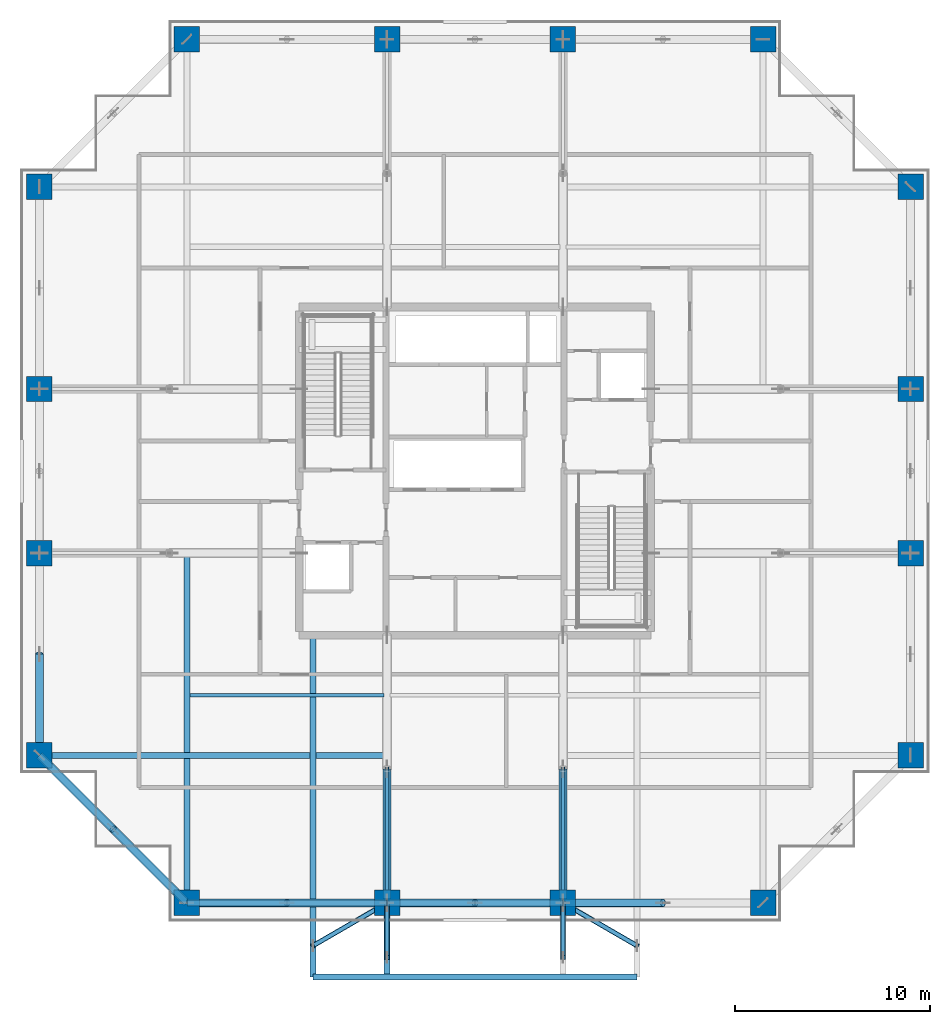
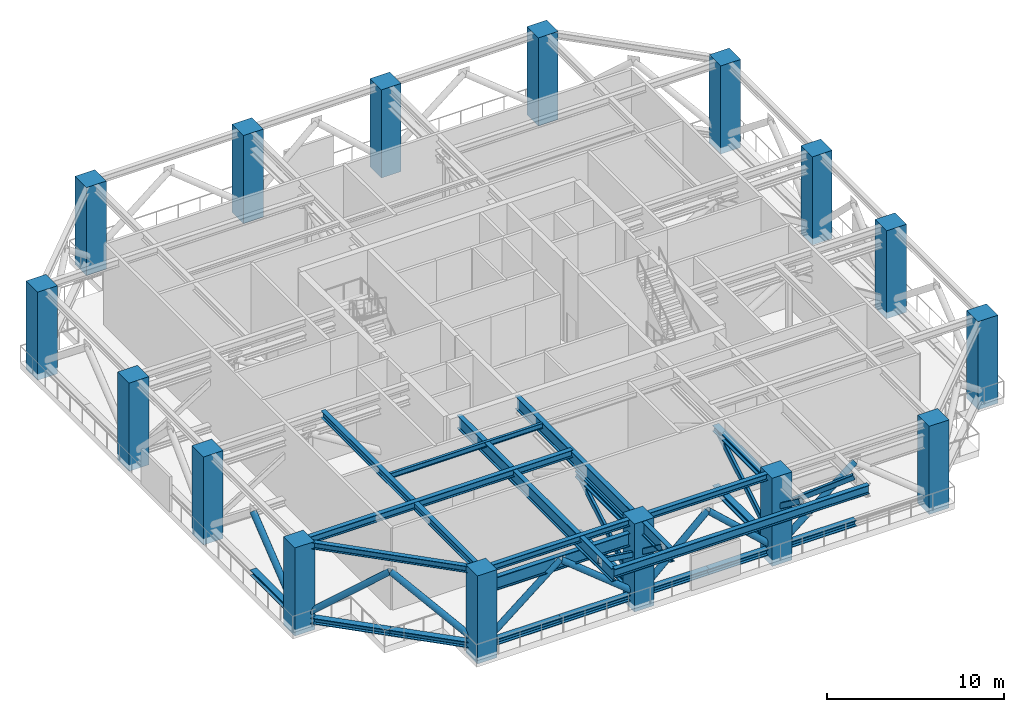
# One storey, part 1 of 22: 26 members, 16 columns, 10 beams.
"""IFC4 building model written with IfcOpenShell, lengths in metres."""

from ifc_helpers import new_model, si_unit, direction, frame, origin, origin_2d, place, context, subcontext, project, spatial, rectangle, hollow_rectangle, hollow_circle, i_section, extrude, source, transform, mapped, material, material_profile, profile_set, type_object, element, save


model = new_model("IFC4")

# Units and contexts
model_context = context("Model", 3, precision=1e-05, world=origin(), true_north=direction((0.0, 1.0)))
body_context = subcontext(model_context, "Body", "Model", "MODEL_VIEW")
ifc_project = project(units=[si_unit("LENGTHUNIT", "METRE"), si_unit("AREAUNIT", "SQUARE_METRE"), si_unit("VOLUMEUNIT", "CUBIC_METRE"), si_unit("PLANEANGLEUNIT", "RADIAN"), si_unit("MASSUNIT", "GRAM", prefix="KILO")], contexts=[model_context])

# Site, building, storey
site_placement = place(None, origin())
site = spatial("IfcSite", under=ifc_project, at=site_placement, CompositionType="ELEMENT")
building_placement = place(site_placement, origin())
building = spatial("IfcBuilding", under=site, at=building_placement, Name="Serunith Strait Residences", CompositionType="ELEMENT")
storey_placement = place(building_placement, frame((0.0, 0.0, 198.89990234375)))
storey = spatial("IfcBuildingStorey", under=building, at=storey_placement, Name="L50", CompositionType="ELEMENT", Elevation=198.89990234375)

# Columns
ifc_material_1 = material(Name="Concrete C80/95", Category="concrete")
ifc_material_profile_1 = material_profile(ifc_material_1, rectangle(XDim=1.300048828125, YDim=1.300048828125, at=origin_2d()), Name="RC 1300x1300")
ifc_profile_set_1 = profile_set([ifc_material_profile_1], Name="Concrete C80/95")
column_type = type_object("IfcColumnType", Name="COL-RC-1300", PredefinedType="COLUMN", material=ifc_profile_set_1)
shared_shape_1 = source(origin(), body_context, "Body", "SweptSolid", [
    extrude(rectangle(XDim=1.300048828125, YDim=1.300048828125, at=origin_2d()), origin(), (0.0, 0.0, 1.0), 6.080078125),
])
for number, where, z_axis, x_axis, name in (
    (1, (17.64990234375, 3.10009765625, -0.43994140625), (0.0, 0.0, 1.0), (1.0, 0.0, 0.0), "L50 Tower Mega-Column TC-S1"),
    (2, (27.89990234375, 3.10009765625, -0.43994140625), (0.0, 0.0, 1.0), (1.0, 0.0, 0.0), "L50 Tower Mega-Column TC-S2"),
    (3, (36.89990234375, 3.10009765625, -0.43994140625), (0.0, 0.0, 1.0), (1.0, 0.0, 0.0), "L50 Tower Mega-Column TC-S3"),
    (4, (47.14990234375, 3.10009765625, -0.43994140625), (0.0, 0.0, 1.0), (1.0, 0.0, 0.0), "L50 Tower Mega-Column TC-S4"),
    (5, (17.64990234375, 47.300048828125, -0.43994140625), (0.0, 0.0, 1.0), (1.0, 0.0, 0.0), "L50 Tower Mega-Column TC-N1"),
    (6, (27.89990234375, 47.300048828125, -0.43994140625), (0.0, 0.0, 1.0), (1.0, 0.0, 0.0), "L50 Tower Mega-Column TC-N2"),
    (7, (36.89990234375, 47.300048828125, -0.43994140625), (0.0, 0.0, 1.0), (1.0, 0.0, 0.0), "L50 Tower Mega-Column TC-N3"),
    (8, (47.14990234375, 47.300048828125, -0.43994140625), (0.0, 0.0, 1.0), (1.0, 0.0, 0.0), "L50 Tower Mega-Column TC-N4"),
    (9, (54.699951171875, 10.64990234375, -0.43994140625), (0.0, 0.0, 1.0), (1.0, 0.0, 0.0), "L50 Tower Mega-Column TC-E1"),
    (10, (54.699951171875, 21.0, -0.43994140625), (0.0, 0.0, 1.0), (1.0, 0.0, 0.0), "L50 Tower Mega-Column TC-E2"),
    (11, (54.699951171875, 29.39990234375, -0.43994140625), (0.0, 0.0, 1.0), (1.0, 0.0, 0.0), "L50 Tower Mega-Column TC-E3"),
    (12, (54.699951171875, 39.75, -0.43994140625), (0.0, 0.0, 1.0), (1.0, 0.0, 0.0), "L50 Tower Mega-Column TC-E4"),
    (13, (10.10009765625, 10.64990234375, -0.43994140625), (0.0, 0.0, 1.0), (1.0, 0.0, 0.0), "L50 Tower Mega-Column TC-W1"),
    (14, (10.10009765625, 21.0, -0.43994140625), (0.0, 0.0, 1.0), (1.0, 0.0, 0.0), "L50 Tower Mega-Column TC-W2"),
    (15, (10.10009765625, 29.39990234375, -0.43994140625), (0.0, 0.0, 1.0), (1.0, 0.0, 0.0), "L50 Tower Mega-Column TC-W3"),
    (16, (10.10009765625, 39.75, -0.43994140625), (0.0, 0.0, 1.0), (1.0, 0.0, 0.0), "L50 Tower Mega-Column TC-W4"),
):
    element("IfcColumn", number, at=place(storey_placement, frame(where, z_axis=z_axis, x_axis=x_axis)), inside=storey, type_object=column_type, Name=name, PredefinedType="COLUMN", context=body_context, shape_type="MappedRepresentation", body=[
        mapped(shared_shape_1, transform((0.0, 0.0, 0.0), scale=1.0)),
    ])

# Beams
ifc_material_2 = material(Name="Steel S355J2", Category="steel")
ifc_material_profile_2 = material_profile(ifc_material_2, i_section(OverallWidth=0.300048828125, OverallDepth=0.449951171875, WebThickness=0.013916015625, FlangeThickness=0.02587890625, FilletRadius=0.027099609375, at=origin_2d()), Name="HEB 450")
ifc_profile_set_2 = profile_set([ifc_material_profile_2], Name="Steel S355J2")
beam_type_1 = type_object("IfcBeamType", Name="BM-HEB450", PredefinedType="BEAM", material=ifc_profile_set_2)
shared_shape_2 = source(origin(), body_context, "Body", "SweptSolid", [
    extrude(i_section(OverallWidth=0.300048828125, OverallDepth=0.449951171875, WebThickness=0.013916015625, FlangeThickness=0.02587890625, FilletRadius=0.027099609375, at=origin_2d()), origin(), (0.0, 0.0, 1.0), 9.0),
])
beam_1_placement = place(storey_placement, frame((27.89990234375, 3.10009765625, 5.412109375), z_axis=(1.0, 0.0, 0.0), x_axis=(0.0, 1.0, 0.0)))
element("IfcBeam", 17, at=beam_1_placement, inside=storey, type_object=beam_type_1, Name="L50 Perimeter Ring Beam 02", PredefinedType="BEAM", context=body_context, shape_type="MappedRepresentation", body=[
    mapped(shared_shape_2, transform((0.0, 0.0, 0.0), scale=1.0)),
])
ifc_material_profile_3 = material_profile(ifc_material_2, i_section(OverallWidth=0.300048828125, OverallDepth=0.5, WebThickness=0.014404296875, FlangeThickness=0.028076171875, FilletRadius=0.027099609375, at=origin_2d()), Name="HEB 500")
ifc_profile_set_3 = profile_set([ifc_material_profile_3], Name="Steel S355J2")
beam_type_2 = type_object("IfcBeamType", Name="BM-HEB500", PredefinedType="BEAM", material=ifc_profile_set_3)
shared_shape_3 = source(origin(), body_context, "Body", "SweptSolid", [
    extrude(i_section(OverallWidth=0.300048828125, OverallDepth=0.5, WebThickness=0.014404296875, FlangeThickness=0.028076171875, FilletRadius=0.027099609375, at=origin_2d()), origin(), (0.0, 0.0, 1.0), 17.89990234375),
])
beam_2_placement = place(storey_placement, frame((17.64990234375, 21.0, 5.38720703125), z_axis=(0.0, -1.0, 0.0), x_axis=(1.0, 0.0, 0.0)))
element("IfcBeam", 18, at=beam_2_placement, inside=storey, type_object=beam_type_2, Name="L50 Orthogonal Corner Girder TC-S1", PredefinedType="BEAM", context=body_context, shape_type="MappedRepresentation", body=[
    mapped(shared_shape_3, transform((0.0, 0.0, 0.0), scale=1.0)),
])
shared_shape_4 = source(origin(), body_context, "Body", "SweptSolid", [
    extrude(i_section(OverallWidth=0.300048828125, OverallDepth=0.5, WebThickness=0.014404296875, FlangeThickness=0.028076171875, FilletRadius=0.027099609375, at=origin_2d()), origin(), (0.0, 0.0, 1.0), 17.7998046875),
])
beam_3_placement = place(storey_placement, frame((27.89990234375, 10.64990234375, 5.38720703125), z_axis=(-1.0, 0.0, 0.0), x_axis=(0.0, -1.0, 0.0)))
element("IfcBeam", 19, at=beam_3_placement, inside=storey, type_object=beam_type_2, Name="L50 Orthogonal Corner Girder TC-W1", PredefinedType="BEAM", context=body_context, shape_type="MappedRepresentation", body=[
    mapped(shared_shape_4, transform((0.0, 0.0, 0.0), scale=1.0)),
])
shared_shape_5 = source(origin(), body_context, "Body", "SweptSolid", [
    extrude(i_section(OverallWidth=0.300048828125, OverallDepth=0.449951171875, WebThickness=0.013916015625, FlangeThickness=0.02587890625, FilletRadius=0.027099609375, at=origin_2d()), origin(), (0.0, 0.0, 1.0), 10.25),
])
beam_4_placement = place(storey_placement, frame((17.64990234375, 3.10009765625, 5.412109375), z_axis=(1.0, 0.0, 0.0), x_axis=(0.0, 1.0, 0.0)))
element("IfcBeam", 20, at=beam_4_placement, inside=storey, type_object=beam_type_1, Name="L50 Perimeter Ring Beam 01", PredefinedType="BEAM", context=body_context, shape_type="MappedRepresentation", body=[
    mapped(shared_shape_5, transform((0.0, 0.0, 0.0), scale=1.0)),
])
shared_shape_6 = source(origin(), body_context, "Body", "SweptSolid", [
    extrude(i_section(OverallWidth=0.300048828125, OverallDepth=0.449951171875, WebThickness=0.013916015625, FlangeThickness=0.02587890625, FilletRadius=0.027099609375, at=origin_2d()), origin(), (0.0, 0.0, 1.0), 10.677001953125),
])
beam_5_placement = place(storey_placement, frame((10.10009765625, 10.64990234375, 5.412109375), z_axis=(0.707106781187, -0.707106781187, 0.0), x_axis=(0.707106781187, 0.707106781187, 0.0)))
element("IfcBeam", 21, at=beam_5_placement, inside=storey, type_object=beam_type_1, Name="L50 Perimeter Ring Beam 16", PredefinedType="BEAM", context=body_context, shape_type="MappedRepresentation", body=[
    mapped(shared_shape_6, transform((0.0, 0.0, 0.0), scale=1.0)),
])
ifc_material_profile_4 = material_profile(ifc_material_2, i_section(OverallWidth=0.169921875, OverallDepth=0.360107421875, WebThickness=0.008056640625, FlangeThickness=0.0126953125, FilletRadius=0.01806640625, at=origin_2d()), Name="IPE 360")
ifc_profile_set_4 = profile_set([ifc_material_profile_4], Name="Steel S355J2")
beam_type_3 = type_object("IfcBeamType", Name="BM-IPE360", PredefinedType="JOIST", material=ifc_profile_set_4)
shared_shape_7 = source(origin(), body_context, "Body", "SweptSolid", [
    extrude(i_section(OverallWidth=0.169921875, OverallDepth=0.360107421875, WebThickness=0.008056640625, FlangeThickness=0.0126953125, FilletRadius=0.01806640625, at=origin_2d()), origin(), (0.0, 0.0, 1.0), 9.949951171875),
])
beam_6_placement = place(storey_placement, frame((17.800048828125, 13.72509765625, 5.45703125), z_axis=(1.0, 0.0, 0.0), x_axis=(0.0, 1.0, 0.0)))
element("IfcBeam", 22, at=beam_6_placement, inside=storey, type_object=beam_type_3, Name="L50 Composite Floor Joist 01", PredefinedType="JOIST", context=body_context, shape_type="MappedRepresentation", body=[
    mapped(shared_shape_7, transform((0.0, 0.0, 0.0), scale=1.0)),
])

# Members
ifc_material_3 = material(Name="Steel S460M", Category="steel")
ifc_material_profile_5 = material_profile(ifc_material_3, i_section(OverallWidth=0.412109375, OverallDepth=0.43505859375, WebThickness=0.035888671875, FlangeThickness=0.057373046875, FilletRadius=0.014892578125, at=origin_2d()), Name="HD 400x463")
ifc_profile_set_5 = profile_set([ifc_material_profile_5], Name="Steel S460M")
member_type_1 = type_object("IfcMemberType", Name="MBR-CHORD-HD463", PredefinedType="CHORD", material=ifc_profile_set_5)
shared_shape_8 = source(origin(), body_context, "Body", "SweptSolid", [
    extrude(i_section(OverallWidth=0.412109375, OverallDepth=0.43505859375, WebThickness=0.035888671875, FlangeThickness=0.057373046875, FilletRadius=0.014892578125, at=origin_2d()), origin(), (0.0, 0.0, 1.0), 6.849853515625),
])
for number, where, z_axis, x_axis, name in (
    (23, (27.89990234375, 9.949951171875, 0.25), (0.0, -1.0, 0.0), (1.0, 0.0, 0.0), "L50 Outrigger Arm 1 Bottom Chord 2"),
    (24, (27.89990234375, 9.949951171875, 4.39013671875), (0.0, -1.0, 0.0), (1.0, 0.0, 0.0), "L50 Outrigger Arm 1 Top Chord 2"),
    (25, (36.89990234375, 9.949951171875, 0.25), (0.0, -1.0, 0.0), (1.0, 0.0, 0.0), "L50 Outrigger Arm 2 Bottom Chord 2"),
    (26, (36.89990234375, 9.949951171875, 4.39013671875), (0.0, -1.0, 0.0), (1.0, 0.0, 0.0), "L50 Outrigger Arm 2 Top Chord 2"),
):
    element("IfcMember", number, at=place(storey_placement, frame(where, z_axis=z_axis, x_axis=x_axis)), inside=storey, type_object=member_type_1, Name=name, PredefinedType="CHORD", context=body_context, shape_type="MappedRepresentation", body=[
        mapped(shared_shape_8, transform((0.0, 0.0, 0.0), scale=1.0)),
    ])
ifc_material_profile_6 = material_profile(ifc_material_3, hollow_rectangle(XDim=0.199951171875, YDim=0.39990234375, WallThickness=0.01611328125, InnerFilletRadius=0.02392578125, OuterFilletRadius=0.0400390625, at=origin_2d()), Name="RHS 400x200x16")
ifc_profile_set_6 = profile_set([ifc_material_profile_6], Name="Steel S460M")
member_type_2 = type_object("IfcMemberType", Name="MBR-BRACE-RHS400", PredefinedType="BRACE", material=ifc_profile_set_6)
shared_shape_9 = source(origin(), body_context, "Body", "SweptSolid", [
    extrude(hollow_rectangle(XDim=0.199951171875, YDim=0.39990234375, WallThickness=0.01611328125, InnerFilletRadius=0.02392578125, OuterFilletRadius=0.0400390625, at=origin_2d()), origin(), (0.0, 0.0, 1.0), 8.00390625),
])
for number, where, z_axis, x_axis, name in (
    (27, (27.89990234375, 9.949951171875, 4.39013671875), (0.0, -0.855822428483, -0.51726972742), (1.0, 0.0, 0.0), "L50 Outrigger Arm 1 Outer Diagonal"),
    (28, (36.89990234375, 9.949951171875, 4.39013671875), (0.0, -0.855822428483, -0.51726972742), (1.0, 0.0, 0.0), "L50 Outrigger Arm 2 Outer Diagonal"),
):
    element("IfcMember", number, at=place(storey_placement, frame(where, z_axis=z_axis, x_axis=x_axis)), inside=storey, type_object=member_type_2, Name=name, PredefinedType="BRACE", context=body_context, shape_type="MappedRepresentation", body=[
        mapped(shared_shape_9, transform((0.0, 0.0, 0.0), scale=1.0)),
    ])
ifc_material_profile_7 = material_profile(ifc_material_3, i_section(OverallWidth=0.40087890625, OverallDepth=0.39892578125, WebThickness=0.02490234375, FlangeThickness=0.03955078125, FilletRadius=0.014892578125, at=origin_2d()), Name="HD 400x314")
ifc_profile_set_7 = profile_set([ifc_material_profile_7], Name="Steel S460M")
member_type_3 = type_object("IfcMemberType", Name="MBR-CHORD-HD314", PredefinedType="CHORD", material=ifc_profile_set_7)
shared_shape_10 = source(origin(), body_context, "Body", "SweptSolid", [
    extrude(i_section(OverallWidth=0.40087890625, OverallDepth=0.39892578125, WebThickness=0.02490234375, FlangeThickness=0.03955078125, FilletRadius=0.014892578125, at=origin_2d()), origin(), (0.0, 0.0, 1.0), 5.125),
])
for number, where, z_axis, x_axis, name in (
    (29, (17.64990234375, 3.10009765625, 0.25), (1.0, 0.0, 0.0), (0.0, 1.0, 0.0), "L50 Belt Truss Bay 01 Chord A"),
    (30, (22.77490234375, 3.10009765625, 0.25), (1.0, 0.0, 0.0), (0.0, 1.0, 0.0), "L50 Belt Truss Bay 01 Chord B"),
    (31, (36.89990234375, 3.10009765625, 0.25), (1.0, 0.0, 0.0), (0.0, 1.0, 0.0), "L50 Belt Truss Bay 03 Chord A"),
):
    element("IfcMember", number, at=place(storey_placement, frame(where, z_axis=z_axis, x_axis=x_axis)), inside=storey, type_object=member_type_3, Name=name, PredefinedType="CHORD", context=body_context, shape_type="MappedRepresentation", body=[
        mapped(shared_shape_10, transform((0.0, 0.0, 0.0), scale=1.0)),
    ])
ifc_material_profile_8 = material_profile(ifc_material_3, hollow_circle(Radius=0.203125, WallThickness=0.01611328125, at=origin_2d()), Name="CHS 406.4x16")
ifc_profile_set_8 = profile_set([ifc_material_profile_8], Name="Steel S460M")
member_type_4 = type_object("IfcMemberType", Name="MBR-DIAG-CHS406", PredefinedType="BRACE", material=ifc_profile_set_8)
shared_shape_11 = source(origin(), body_context, "Body", "SweptSolid", [
    extrude(hollow_circle(Radius=0.203125, WallThickness=0.01611328125, at=origin_2d()), origin(), (0.0, 0.0, 1.0), 6.58837890625),
])
for number, where, z_axis, x_axis, name in (
    (32, (17.64990234375, 3.10009765625, 0.25), (0.77788823023, 0.0, 0.628402658548), (0.0, 1.0, 0.0), "L50 Belt Truss Bay 01 Diagonal 1"),
    (33, (27.89990234375, 3.10009765625, 0.25), (-0.77788823023, 0.0, 0.628402658548), (0.0, -1.0, 0.0), "L50 Belt Truss Bay 01 Diagonal 2"),
    (34, (36.89990234375, 3.10009765625, 0.25), (0.77788823023, 0.0, 0.628402658548), (0.0, 1.0, 0.0), "L50 Belt Truss Bay 03 Diagonal 1"),
):
    element("IfcMember", number, at=place(storey_placement, frame(where, z_axis=z_axis, x_axis=x_axis)), inside=storey, type_object=member_type_4, Name=name, PredefinedType="BRACE", context=body_context, shape_type="MappedRepresentation", body=[
        mapped(shared_shape_11, transform((0.0, 0.0, 0.0), scale=1.0)),
    ])
shared_shape_12 = source(origin(), body_context, "Body", "SweptSolid", [
    extrude(i_section(OverallWidth=0.40087890625, OverallDepth=0.39892578125, WebThickness=0.02490234375, FlangeThickness=0.03955078125, FilletRadius=0.014892578125, at=origin_2d()), origin(), (0.0, 0.0, 1.0), 4.5),
])
for number, where, z_axis, x_axis, name in (
    (35, (27.89990234375, 3.10009765625, 0.25), (1.0, 0.0, 0.0), (0.0, 1.0, 0.0), "L50 Belt Truss Bay 02 Chord A"),
    (36, (32.39990234375, 3.10009765625, 0.25), (1.0, 0.0, 0.0), (0.0, 1.0, 0.0), "L50 Belt Truss Bay 02 Chord B"),
):
    element("IfcMember", number, at=place(storey_placement, frame(where, z_axis=z_axis, x_axis=x_axis)), inside=storey, type_object=member_type_3, Name=name, PredefinedType="CHORD", context=body_context, shape_type="MappedRepresentation", body=[
        mapped(shared_shape_12, transform((0.0, 0.0, 0.0), scale=1.0)),
    ])
shared_shape_13 = source(origin(), body_context, "Body", "SweptSolid", [
    extrude(hollow_circle(Radius=0.203125, WallThickness=0.01611328125, at=origin_2d()), origin(), (0.0, 0.0, 1.0), 6.11474609375),
])
for number, where, z_axis, x_axis, name in (
    (37, (27.89990234375, 3.10009765625, 0.25), (0.735919871074, 0.0, 0.677068640064), (0.0, 1.0, 0.0), "L50 Belt Truss Bay 02 Diagonal 1"),
    (38, (36.89990234375, 3.10009765625, 0.25), (-0.735919871074, 0.0, 0.677068640064), (0.0, -1.0, 0.0), "L50 Belt Truss Bay 02 Diagonal 2"),
):
    element("IfcMember", number, at=place(storey_placement, frame(where, z_axis=z_axis, x_axis=x_axis)), inside=storey, type_object=member_type_4, Name=name, PredefinedType="BRACE", context=body_context, shape_type="MappedRepresentation", body=[
        mapped(shared_shape_13, transform((0.0, 0.0, 0.0), scale=1.0)),
    ])
shared_shape_14 = source(origin(), body_context, "Body", "SweptSolid", [
    extrude(i_section(OverallWidth=0.40087890625, OverallDepth=0.39892578125, WebThickness=0.02490234375, FlangeThickness=0.03955078125, FilletRadius=0.014892578125, at=origin_2d()), origin(), (0.0, 0.0, 1.0), 5.338623046875),
])
for number, where, z_axis, x_axis, name in (
    (39, (10.10009765625, 10.64990234375, 0.25), (0.707106781187, -0.707106781187, 0.0), (0.707106781187, 0.707106781187, 0.0), "L50 Belt Truss Bay 16 Chord A"),
    (40, (13.875, 6.875, 0.25), (0.707106781187, -0.707106781187, 0.0), (0.707106781187, 0.707106781187, 0.0), "L50 Belt Truss Bay 16 Chord B"),
):
    element("IfcMember", number, at=place(storey_placement, frame(where, z_axis=z_axis, x_axis=x_axis)), inside=storey, type_object=member_type_3, Name=name, PredefinedType="CHORD", context=body_context, shape_type="MappedRepresentation", body=[
        mapped(shared_shape_14, transform((0.0, 0.0, 0.0), scale=1.0)),
    ])
shared_shape_15 = source(origin(), body_context, "Body", "SweptSolid", [
    extrude(hollow_circle(Radius=0.203125, WallThickness=0.01611328125, at=origin_2d()), origin(), (0.0, 0.0, 1.0), 6.755859375),
])
for number, where, z_axis, x_axis, name in (
    (41, (10.10009765625, 10.64990234375, 0.25), (0.558766664618, -0.558766664618, 0.61282920053), (0.707106781187, 0.707106781187, 0.0), "L50 Belt Truss Bay 16 Diagonal 1"),
    (42, (17.64990234375, 3.10009765625, 0.25), (-0.558766664618, 0.558766664618, 0.61282920053), (-0.707106781187, -0.707106781187, 0.0), "L50 Belt Truss Bay 16 Diagonal 2"),
):
    element("IfcMember", number, at=place(storey_placement, frame(where, z_axis=z_axis, x_axis=x_axis)), inside=storey, type_object=member_type_4, Name=name, PredefinedType="BRACE", context=body_context, shape_type="MappedRepresentation", body=[
        mapped(shared_shape_15, transform((0.0, 0.0, 0.0), scale=1.0)),
    ])
shared_shape_16 = source(origin(), body_context, "Body", "SweptSolid", [
    extrude(i_section(OverallWidth=0.40087890625, OverallDepth=0.39892578125, WebThickness=0.02490234375, FlangeThickness=0.03955078125, FilletRadius=0.014892578125, at=origin_2d()), origin(), (0.0, 0.0, 1.0), 5.175048828125),
])
member_1_placement = place(storey_placement, frame((10.10009765625, 15.824951171875, 0.25), z_axis=(0.0, -1.0, 0.0), x_axis=(1.0, 0.0, 0.0)))
element("IfcMember", 43, at=member_1_placement, inside=storey, type_object=member_type_3, Name="L50 Belt Truss Bay 15 Chord B", PredefinedType="CHORD", context=body_context, shape_type="MappedRepresentation", body=[
    mapped(shared_shape_16, transform((0.0, 0.0, 0.0), scale=1.0)),
])
shared_shape_17 = source(origin(), body_context, "Body", "SweptSolid", [
    extrude(hollow_circle(Radius=0.203125, WallThickness=0.01611328125, at=origin_2d()), origin(), (0.0, 0.0, 1.0), 6.62744140625),
])
member_2_placement = place(storey_placement, frame((10.10009765625, 10.64990234375, 0.25), z_axis=(0.0, 0.780861621429, 0.624704032466), x_axis=(-1.0, 0.0, 0.0)))
element("IfcMember", 44, at=member_2_placement, inside=storey, type_object=member_type_4, Name="L50 Belt Truss Bay 15 Diagonal 2", PredefinedType="BRACE", context=body_context, shape_type="MappedRepresentation", body=[
    mapped(shared_shape_17, transform((0.0, 0.0, 0.0), scale=1.0)),
])

# Beams
ifc_material_profile_9 = material_profile(ifc_material_3, i_section(OverallWidth=0.302001953125, OverallDepth=0.909912109375, WebThickness=0.02099609375, FlangeThickness=0.0400390625, FilletRadius=0.027099609375, at=origin_2d()), Name="HEM 900")
ifc_profile_set_9 = profile_set([ifc_material_profile_9], Name="Steel S460M")
beam_type_4 = type_object("IfcBeamType", Name="BM-HEM900", PredefinedType="BEAM", material=ifc_profile_set_9)
shared_shape_18 = source(origin(), body_context, "Body", "SweptSolid", [
    extrude(i_section(OverallWidth=0.302001953125, OverallDepth=0.909912109375, WebThickness=0.02099609375, FlangeThickness=0.0400390625, FilletRadius=0.027099609375, at=origin_2d()), origin(), (0.0, 0.0, 1.0), 10.25),
])
beam_7_placement = place(storey_placement, frame((17.64990234375, 3.10009765625, 4.2470703125), z_axis=(1.0, 0.0, 0.0), x_axis=(0.0, 1.0, 0.0)))
element("IfcBeam", 45, at=beam_7_placement, inside=storey, type_object=beam_type_4, Name="L50 Sky Pool Support Header 01", PredefinedType="BEAM", context=body_context, shape_type="MappedRepresentation", body=[
    mapped(shared_shape_18, transform((0.0, 0.0, 0.0), scale=1.0)),
])
shared_shape_19 = source(origin(), body_context, "Body", "SweptSolid", [
    extrude(i_section(OverallWidth=0.302001953125, OverallDepth=0.909912109375, WebThickness=0.02099609375, FlangeThickness=0.0400390625, FilletRadius=0.027099609375, at=origin_2d()), origin(), (0.0, 0.0, 1.0), 17.5),
])
for number, where, z_axis, x_axis, name in (
    (46, (27.89990234375, 16.800048828125, 5.162109375), (0.0, -1.0, 0.0), (1.0, 0.0, 0.0), "Sky Pool Truss 1 Overhanging Cantilever Girder"),
    (47, (24.10009765625, 16.800048828125, 5.162109375), (0.0, -1.0, 0.0), (1.0, 0.0, 0.0), "Sky Pool Truss 3 Overhanging Cantilever Girder"),
):
    element("IfcBeam", number, at=place(storey_placement, frame(where, z_axis=z_axis, x_axis=x_axis)), inside=storey, type_object=beam_type_4, Name=name, PredefinedType="BEAM", context=body_context, shape_type="MappedRepresentation", body=[
        mapped(shared_shape_19, transform((0.0, 0.0, 0.0), scale=1.0)),
    ])

# Members
ifc_material_profile_10 = material_profile(ifc_material_3, hollow_rectangle(XDim=0.25, YDim=0.35009765625, WallThickness=0.01611328125, InnerFilletRadius=0.02392578125, OuterFilletRadius=0.0400390625, at=origin_2d()), Name="RHS 350x250x16")
ifc_profile_set_10 = profile_set([ifc_material_profile_10], Name="Steel S460M")
member_type_5 = type_object("IfcMemberType", Name="MBR-STRUT-KS1", PredefinedType="STRUT", material=ifc_profile_set_10)
shared_shape_20 = source(origin(), body_context, "Body", "SweptSolid", [
    extrude(hollow_rectangle(XDim=0.25, YDim=0.35009765625, WallThickness=0.01611328125, InnerFilletRadius=0.02392578125, OuterFilletRadius=0.0400390625, at=origin_2d()), origin(), (0.0, 0.0, 1.0), 3.5),
])
for number, where, z_axis, x_axis, name in (
    (48, (27.89990234375, 3.10009765625, 3.06201171875), (0.0, -0.79999162962, 0.600011160345), (1.0, 0.0, 0.0), "Sky Pool Truss 1 Inclined Knee Strut"),
    (49, (36.89990234375, 3.10009765625, 3.06201171875), (0.0, -0.79999162962, 0.600011160345), (1.0, 0.0, 0.0), "Sky Pool Truss 2 Inclined Knee Strut"),
):
    element("IfcMember", number, at=place(storey_placement, frame(where, z_axis=z_axis, x_axis=x_axis)), inside=storey, type_object=member_type_5, Name=name, PredefinedType="STRUT", context=body_context, shape_type="MappedRepresentation", body=[
        mapped(shared_shape_20, transform((0.0, 0.0, 0.0), scale=1.0)),
    ])
shared_shape_21 = source(origin(), body_context, "Body", "SweptSolid", [
    extrude(hollow_rectangle(XDim=0.25, YDim=0.35009765625, WallThickness=0.01611328125, InnerFilletRadius=0.02392578125, OuterFilletRadius=0.0400390625, at=origin_2d()), origin(), (0.0, 0.0, 1.0), 4.8671875),
])
member_3_placement = place(storey_placement, frame((27.89990234375, 3.10009765625, 3.06201171875), z_axis=(-0.780693767577, -0.452043962568, 0.431478269641), x_axis=(0.501088872721, -0.865395829453, 0.0)))
element("IfcMember", 50, at=member_3_placement, inside=storey, type_object=member_type_5, Name="Sky Pool Truss 3 Inclined Knee Strut", PredefinedType="STRUT", context=body_context, shape_type="MappedRepresentation", body=[
    mapped(shared_shape_21, transform((0.0, 0.0, 0.0), scale=1.0)),
])
shared_shape_22 = source(origin(), body_context, "Body", "SweptSolid", [
    extrude(hollow_rectangle(XDim=0.25, YDim=0.35009765625, WallThickness=0.01611328125, InnerFilletRadius=0.02392578125, OuterFilletRadius=0.0400390625, at=origin_2d()), origin(), (0.0, 0.0, 1.0), 4.867431640625),
])
member_4_placement = place(storey_placement, frame((36.89990234375, 3.10009765625, 3.06201171875), z_axis=(0.78071335486, -0.452026261098, 0.431461373498), x_axis=(0.501064762248, 0.865409789657, 0.0)))
element("IfcMember", 51, at=member_4_placement, inside=storey, type_object=member_type_5, Name="Sky Pool Truss 4 Inclined Knee Strut", PredefinedType="STRUT", context=body_context, shape_type="MappedRepresentation", body=[
    mapped(shared_shape_22, transform((0.0, 0.0, 0.0), scale=1.0)),
])

# Beam
ifc_material_profile_11 = material_profile(ifc_material_2, i_section(OverallWidth=0.300048828125, OverallDepth=0.60009765625, WebThickness=0.015380859375, FlangeThickness=0.030029296875, FilletRadius=0.027099609375, at=origin_2d()), Name="HEB 600")
ifc_profile_set_11 = profile_set([ifc_material_profile_11], Name="Steel S355J2")
beam_type_5 = type_object("IfcBeamType", Name="BM-HEB600", PredefinedType="BEAM", material=ifc_profile_set_11)
shared_shape_23 = source(origin(), body_context, "Body", "SweptSolid", [
    extrude(i_section(OverallWidth=0.300048828125, OverallDepth=0.60009765625, WebThickness=0.015380859375, FlangeThickness=0.030029296875, FilletRadius=0.027099609375, at=origin_2d()), origin(), (0.0, 0.0, 1.0), 16.599853515625),
])
beam_8_placement = place(storey_placement, frame((24.10009765625, -0.699951171875, 5.317138671875), z_axis=(1.0, 0.0, 0.0), x_axis=(0.0, 1.0, 0.0)))
element("IfcBeam", 52, at=beam_8_placement, inside=storey, type_object=beam_type_5, Name="Sky Pool Tip Trimmer Girder", PredefinedType="BEAM", context=body_context, shape_type="MappedRepresentation", body=[
    mapped(shared_shape_23, transform((0.0, 0.0, 0.0), scale=1.0)),
])

save(model, "model.ifc")
